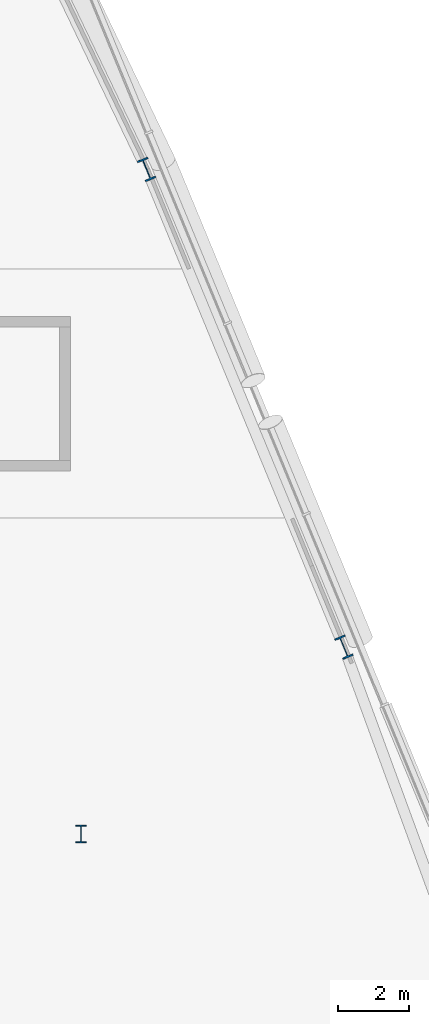
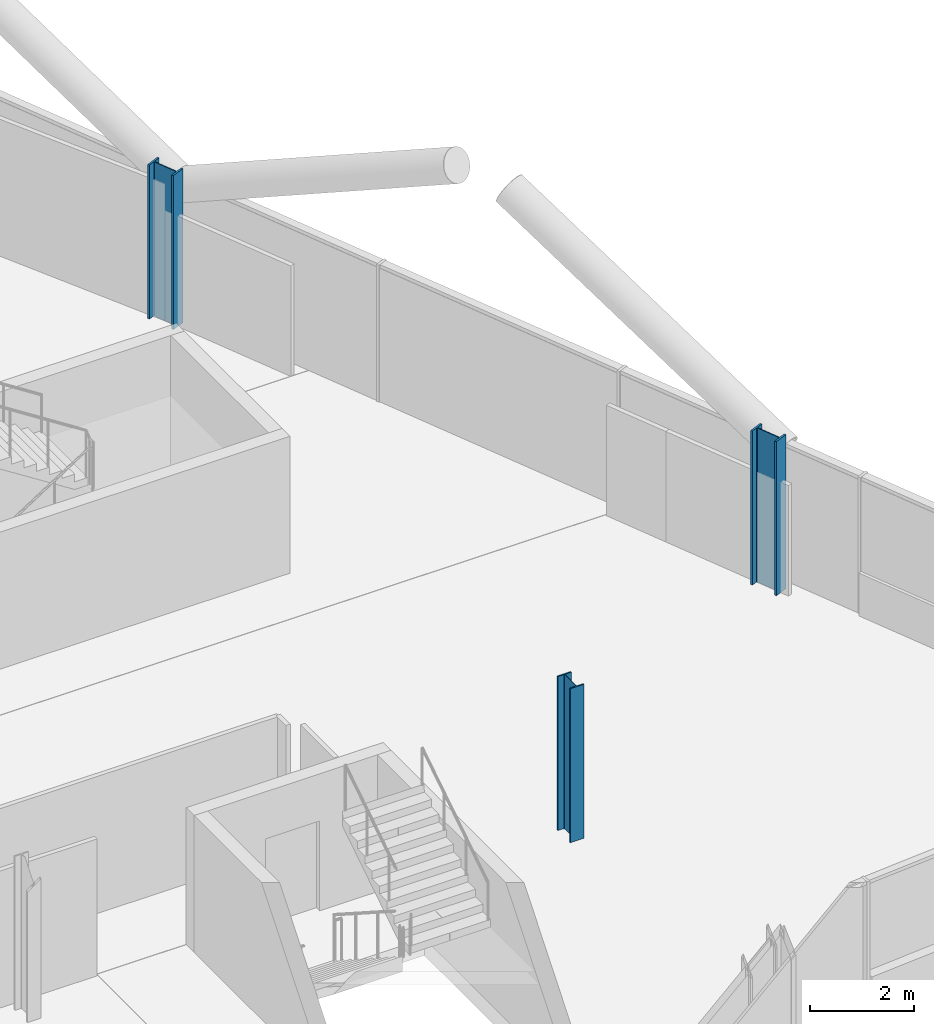
# One storey, part 5 of 26: 3 columns.
"""IFC4 building model written with IfcOpenShell, lengths in metres."""

import ifcopenshell
import ifcopenshell.guid

model = None  # the IFC model being written
_history = None  # IfcOwnerHistory: only IFC2X3 demands one
_inside = {}  # id of a spatial element -> (the spatial element, [elements in it])
_under = {}  # id of a project, library or spatial element -> (it, [spatial elements below it])
_declared = {}  # id of a project -> (the project, [libraries it declares])
_typed = {}  # id of a type object -> (the type object, [elements of that type])
_made_of = {}  # id of a material, layer set ... -> (it, [elements and type objects made of it])


def new_model(schema):
    """Start an empty IFC model of exactly this schema.

    Asked for "IFC4X3", IfcOpenShell would pick the latest addendum, in which some entities
    have other attributes; the version numbers below select the first issue.
    IFC2X3 requires an IfcOwnerHistory on every rooted entity: one is made here for all.
    """
    global model, _history
    if schema == "IFC4X3":
        model = ifcopenshell.file(schema_version=(4, 3, 0, 0))
    else:
        model = ifcopenshell.file(schema=schema)
    _inside.clear()
    _under.clear()
    _declared.clear()
    _typed.clear()
    _made_of.clear()
    _history = None
    if model.schema == "IFC2X3":
        org = make("IfcOrganization", Name="unknown")
        user = make(
            "IfcPersonAndOrganization",
            ThePerson=make("IfcPerson", FamilyName="unknown"),
            TheOrganization=org,
        )
        app = make(
            "IfcApplication",
            ApplicationDeveloper=org,
            Version="unknown",
            ApplicationFullName="unknown",
            ApplicationIdentifier="unknown",
        )
        _history = make(
            "IfcOwnerHistory",
            OwningUser=user,
            OwningApplication=app,
            ChangeAction="ADDED",
            CreationDate=0,
        )
    return model


def make(cls, **values):
    """One entity of the class cls with the attributes given. An attribute that is None is left unset."""
    return model.create_entity(
        cls, **{name: value for name, value in values.items() if value is not None}
    )


def rooted(cls, **values):
    """An entity with a GlobalId (a new one), such as an element, a storey or a relation."""
    return make(cls, GlobalId=ifcopenshell.guid.new(), OwnerHistory=_history, **values)


def si_unit(unit_type, name, prefix=None):
    """IfcSIUnit, for example si_unit("LENGTHUNIT", "METRE", prefix="MILLI")."""
    return make("IfcSIUnit", UnitType=unit_type, Prefix=prefix, Name=name)


def assignment(units):
    """IfcUnitAssignment: the units of a project."""
    return None if units is None else make("IfcUnitAssignment", Units=units)


def point(xyz):
    """IfcCartesianPoint."""
    return None if xyz is None else make("IfcCartesianPoint", Coordinates=xyz)


def direction(xyz):
    """IfcDirection."""
    return None if xyz is None else make("IfcDirection", DirectionRatios=xyz)


def frame(location, z_axis=None, x_axis=None):
    """IfcAxis2Placement3D, a coordinate frame: its origin and axes. An axis left out is left unset."""
    return make(
        "IfcAxis2Placement3D",
        Location=point(location),
        Axis=direction(z_axis),
        RefDirection=direction(x_axis),
    )


def frame_2d(location, x_axis=None):
    """IfcAxis2Placement2D, a coordinate frame in the plane: its origin and x axis."""
    return make(
        "IfcAxis2Placement2D", Location=point(location), RefDirection=direction(x_axis)
    )


def origin():
    """The frame at (0, 0, 0) with its axes left unset."""
    return frame((0.0, 0.0, 0.0))


def origin_2d():
    """The frame at (0, 0) in the plane with its x axis left unset."""
    return frame_2d((0.0, 0.0))


def place(relative_to, where):
    """IfcLocalPlacement: puts the frame where relative to a parent placement (None: the world)."""
    return make(
        "IfcLocalPlacement", PlacementRelTo=relative_to, RelativePlacement=where
    )


def context(
    kind, dimensions, precision=None, world=None, true_north=None, identifier=None
):
    """IfcGeometricRepresentationContext, for example the 3D "Model" context."""
    return make(
        "IfcGeometricRepresentationContext",
        ContextIdentifier=identifier,
        ContextType=kind,
        CoordinateSpaceDimension=dimensions,
        Precision=precision,
        WorldCoordinateSystem=world,
        TrueNorth=true_north,
    )


def subcontext(parent, identifier, kind, view, scale=None):
    """IfcGeometricRepresentationSubContext, for example "Body" below "Model"."""
    return make(
        "IfcGeometricRepresentationSubContext",
        ContextIdentifier=identifier,
        ContextType=kind,
        ParentContext=parent,
        TargetScale=scale,
        TargetView=view,
    )


def project(units=None, contexts=None):
    """IfcProject with its units and contexts."""
    return rooted(
        "IfcProject",
        Name="project",
        RepresentationContexts=contexts,
        UnitsInContext=assignment(units),
    )


def spatial(cls, under=None, at=None, **own):
    """A site, building, storey or space (cls), placed at a placement, below another one or the project."""
    s = rooted(cls, ObjectPlacement=at, **own)
    if under is not None:
        _under.setdefault(under.id(), (under, []))[1].append(s)
    return s


def profile(cls, at=None, kind="AREA", **sizes):
    """A parametric profile (cls). Its sizes go by their IFC names, for example OverallWidth=200.0."""
    return make(cls, ProfileType=kind, Position=at, **sizes)


def i_section(**sizes):
    """IfcIShapeProfileDef."""
    return profile("IfcIShapeProfileDef", **sizes)


def extrude(swept, where, along, depth):
    """IfcExtrudedAreaSolid: the profile swept, set in the frame where, extruded along a direction by depth."""
    return make(
        "IfcExtrudedAreaSolid",
        SweptArea=swept,
        Position=where,
        ExtrudedDirection=direction(along),
        Depth=depth,
    )


def shape(context_of_items, identifier, shape_type, items):
    """IfcShapeRepresentation: the items that make up one representation, for example the "Body"."""
    return make(
        "IfcShapeRepresentation",
        ContextOfItems=context_of_items,
        RepresentationIdentifier=identifier,
        RepresentationType=shape_type,
        Items=items,
    )


def material(Name=None, Category=None):
    """IfcMaterial."""
    return make("IfcMaterial", Name=Name, Category=Category)


def material_profile(
    of_material, cross_section, Name=None, Category=None, Priority=None
):
    """IfcMaterialProfile: a cross section and its material."""
    return make(
        "IfcMaterialProfile",
        Name=Name,
        Material=of_material,
        Profile=cross_section,
        Priority=Priority,
        Category=Category,
    )


def profile_set(profiles, Name=None, composite=None):
    """IfcMaterialProfileSet."""
    return make(
        "IfcMaterialProfileSet",
        Name=Name,
        MaterialProfiles=profiles,
        CompositeProfile=composite,
    )


def made_of(thing, what):
    """Note that an element or type object is made of a material, layer set ...; save() writes the relation."""
    if what is not None:
        _made_of.setdefault(what.id(), (what, []))[1].append(thing)
    return thing


def type_object(cls, material=None, **own):
    """A type object (cls), such as IfcWallType, which elements share."""
    return made_of(rooted(cls, **own), material)


def element(
    cls,
    number,
    at=None,
    inside=None,
    cuts=None,
    type_object=None,
    material=None,
    context=None,
    identifier="Body",
    shape_type=None,
    held_by="IfcProductDefinitionShape",
    body=None,
    shapes=None,
    **own,
):
    """One element of the class cls, such as IfcWall. Its Tag is "e" and its number.

    at: its placement. inside: the storey or other place that contains it. cuts: it is an
    opening in that element (IfcRelVoidsElement). A single representation is given by context,
    identifier, shape_type and body (its items); several are given by shapes. held_by: the class
    of the entity that holds the representations. save() writes the other relations.
    """
    e = rooted(cls, Tag="e%d" % number, ObjectPlacement=at, **own)
    if body is not None:
        shapes = [shape(context, identifier, shape_type, body)]
    if shapes is not None:
        e.Representation = make(held_by, Representations=shapes)
    if inside is not None:
        _inside.setdefault(inside.id(), (inside, []))[1].append(e)
    if cuts is not None:
        rooted(
            "IfcRelVoidsElement", RelatingBuildingElement=cuts, RelatedOpeningElement=e
        )
    if type_object is not None:
        _typed.setdefault(type_object.id(), (type_object, []))[1].append(e)
    return made_of(e, material)


def aggregate(whole, parts):
    """IfcRelAggregates: a whole, such as a stair, and the parts it consists of."""
    return rooted("IfcRelAggregates", RelatingObject=whole, RelatedObjects=parts)


def save(model, path):
    """Write the relations noted so far, then the file.

    IfcRelAggregates (storeys below a building ...), IfcRelContainedInSpatialStructure (elements
    in a storey), IfcRelDefinesByType, IfcRelAssociatesMaterial and IfcRelDeclares: one each for
    every whole, place, type object, material and project.
    """
    for whole, parts in _under.values():
        aggregate(whole, parts)
    for where, things in _inside.values():
        rooted(
            "IfcRelContainedInSpatialStructure",
            RelatedElements=things,
            RelatingStructure=where,
        )
    for kind, things in _typed.values():
        rooted("IfcRelDefinesByType", RelatedObjects=things, RelatingType=kind)
    for what, things in _made_of.values():
        rooted("IfcRelAssociatesMaterial", RelatedObjects=things, RelatingMaterial=what)
    for by, libraries in _declared.values():
        rooted("IfcRelDeclares", RelatingContext=by, RelatedDefinitions=libraries)
    model.write(path)


model = new_model("IFC4")

# Units and contexts
model_context = context("Model", 3, precision=1e-05, world=origin(), true_north=direction((0.0, 1.0)))
body_context = subcontext(model_context, "Body", "Model", "MODEL_VIEW")
ifc_project = project(units=[si_unit("LENGTHUNIT", "METRE"), si_unit("AREAUNIT", "SQUARE_METRE"), si_unit("VOLUMEUNIT", "CUBIC_METRE"), si_unit("PLANEANGLEUNIT", "RADIAN"), si_unit("MASSUNIT", "GRAM", prefix="KILO")], contexts=[model_context])

# Site, building, storey
site_placement = place(None, origin())
site = spatial("IfcSite", under=ifc_project, at=site_placement, CompositionType="ELEMENT")
building_placement = place(site_placement, origin())
building = spatial("IfcBuilding", under=site, at=building_placement, Name="Wharfspan Tower", CompositionType="ELEMENT")
storey_placement = place(building_placement, frame((0.0, 0.0, 184.300049)))
storey = spatial("IfcBuildingStorey", under=building, at=storey_placement, Name="L45", CompositionType="ELEMENT", Elevation=184.300049)

# Columns
ifc_material = material(Name="Steel S355J2", Category="steel")
ifc_material_profile_1 = material_profile(ifc_material, i_section(OverallWidth=0.300049, OverallDepth=0.5, WebThickness=0.014404, FlangeThickness=0.028076, FilletRadius=0.0271, at=origin_2d()))
ifc_profile_set_1 = profile_set([ifc_material_profile_1], Name="Steel S355J2")
column_type_1 = type_object("IfcColumnType", Name="Column HEB 500", PredefinedType="COLUMN", material=ifc_profile_set_1)
column_placement = place(storey_placement, frame((72.0, 11.5, 0.0), z_axis=(0.0, 0.0, 1.0), x_axis=(1.0, 0.0, 0.0)))
element("IfcColumn", 1, at=column_placement, inside=storey, type_object=column_type_1, Name="Interior column I.1.5 L45", PredefinedType="COLUMN", context=body_context, shape_type="SweptSolid", body=[
    extrude(i_section(OverallWidth=0.300049, OverallDepth=0.5, WebThickness=0.014404, FlangeThickness=0.028076, FilletRadius=0.0271, at=origin_2d()), origin(), (0.0, 0.0, 1.0), 3.599854),
])
ifc_material_profile_2 = material_profile(ifc_material, i_section(OverallWidth=0.304932, OverallDepth=0.620117, WebThickness=0.020996, FlangeThickness=0.040039, FilletRadius=0.0271, at=origin_2d()))
ifc_profile_set_2 = profile_set([ifc_material_profile_2], Name="Steel S355J2")
column_type_2 = type_object("IfcColumnType", Name="Column HEM 600", PredefinedType="COLUMN", material=ifc_profile_set_2)
for number, where, z_axis, x_axis, name in (
    (2, (79.409668, 16.761719, 0.0), (0.0, 0.0, 1.0), (0.924325, 0.381602, 0.0), "Perimeter column PE.1 L45"),
    (3, (73.85376, 30.219238, 0.0), (0.0, 0.0, 1.0), (0.924325, 0.381602, 0.0), "Perimeter column PE.2 L45"),
):
    element("IfcColumn", number, at=place(storey_placement, frame(where, z_axis=z_axis, x_axis=x_axis)), inside=storey, type_object=column_type_2, Name=name, PredefinedType="COLUMN", context=body_context, shape_type="SweptSolid", body=[
        extrude(i_section(OverallWidth=0.304932, OverallDepth=0.620117, WebThickness=0.020996, FlangeThickness=0.040039, FilletRadius=0.0271, at=origin_2d()), origin(), (0.0, 0.0, 1.0), 3.599854),
    ])

save(model, "model.ifc")
